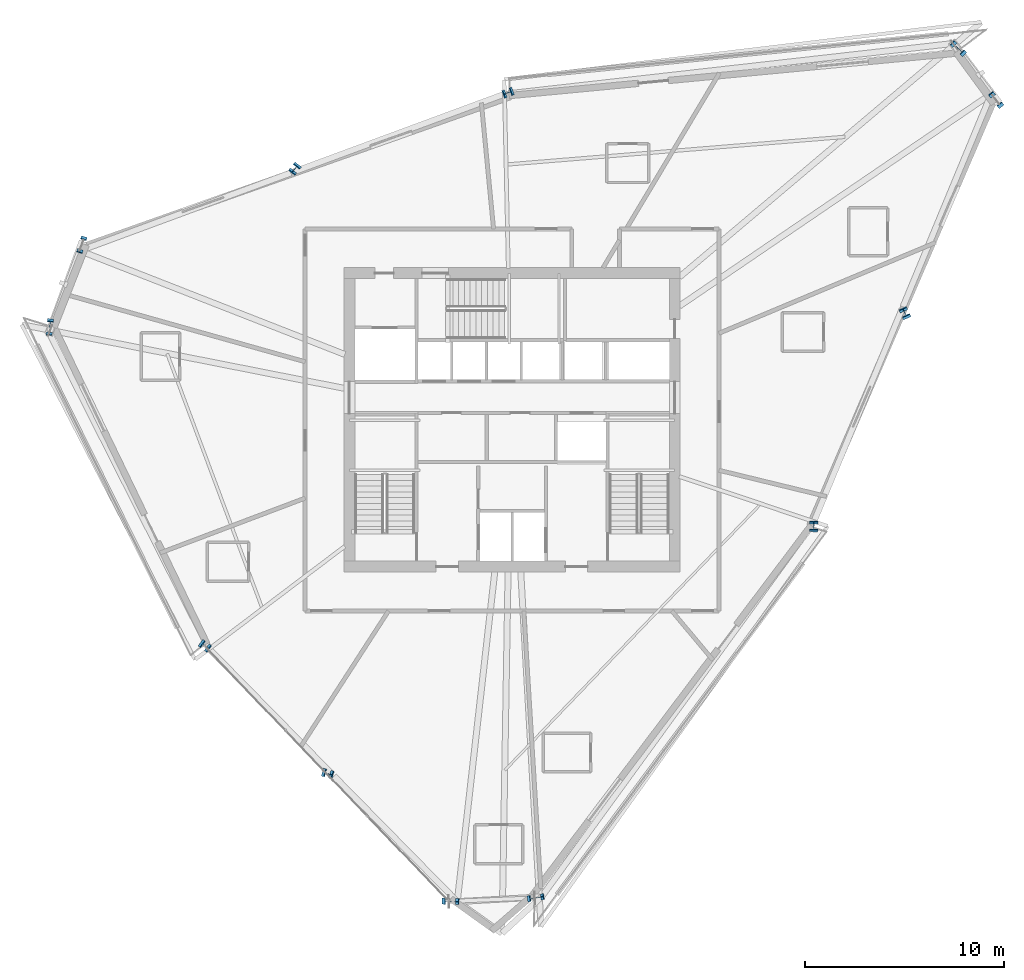
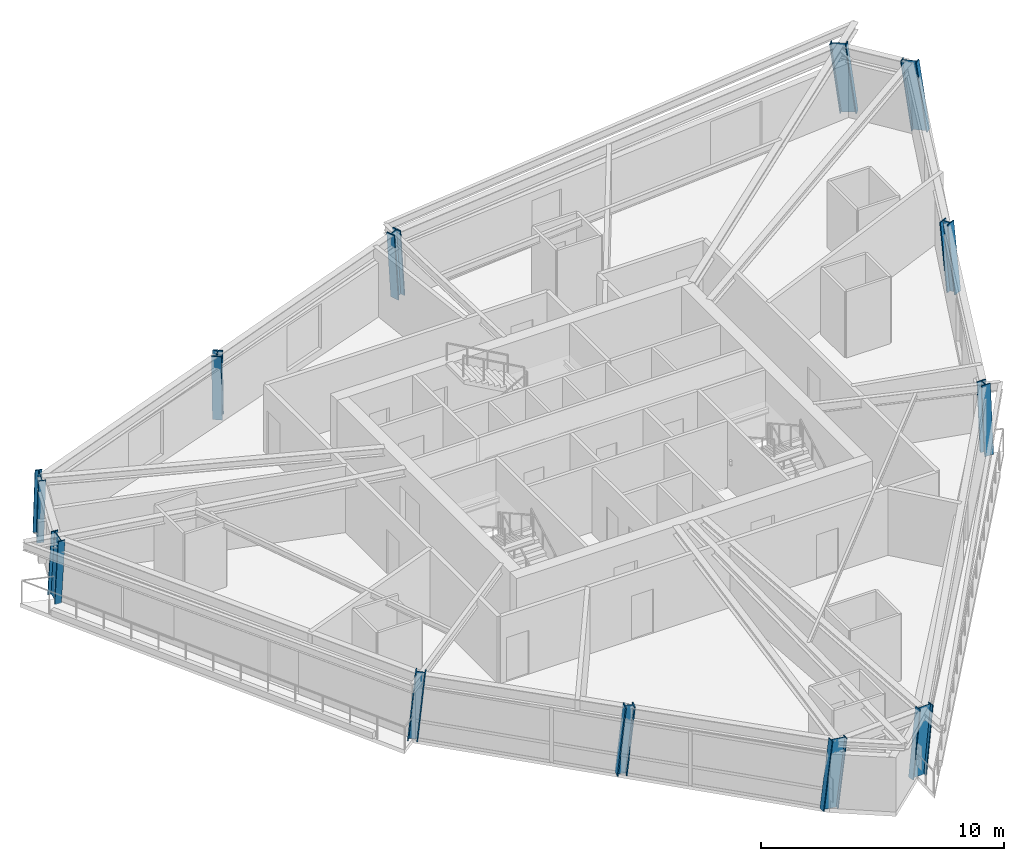
# One storey, part 1 of 14: 12 columns.
"""IFC4 building model written with IfcOpenShell, lengths in metres."""

from ifc_helpers import new_model, si_unit, direction, frame, origin, origin_2d, place, context, subcontext, project, spatial, i_section, extrude, source, transform, mapped, material, material_profile, profile_set, type_object, element, save


model = new_model("IFC4")

# Units and contexts
model_context = context("Model", 3, precision=1e-05, world=origin(), true_north=direction((0.0, 1.0)))
body_context = subcontext(model_context, "Body", "Model", "MODEL_VIEW")
ifc_project = project(units=[si_unit("LENGTHUNIT", "METRE"), si_unit("AREAUNIT", "SQUARE_METRE"), si_unit("VOLUMEUNIT", "CUBIC_METRE"), si_unit("PLANEANGLEUNIT", "RADIAN"), si_unit("MASSUNIT", "GRAM", prefix="KILO")], contexts=[model_context])

# Site, building, storey
site_placement = place(None, origin())
site = spatial("IfcSite", under=ifc_project, at=site_placement, CompositionType="ELEMENT")
building_placement = place(site_placement, origin())
building = spatial("IfcBuilding", under=site, at=building_placement, Name="Olszyna Solenne Hotel", CompositionType="ELEMENT")
storey_placement = place(building_placement, frame((0.0, 0.0, 182.10009765625)))
storey = spatial("IfcBuildingStorey", under=building, at=storey_placement, Name="L48", CompositionType="ELEMENT", Elevation=182.10009765625)

# Columns
ifc_material = material(Name="Steel S460M", Category="steel")
ifc_material_profile_1 = material_profile(ifc_material, i_section(OverallWidth=0.303955078125, OverallDepth=0.716064453125, WebThickness=0.02099609375, FlangeThickness=0.0400390625, at=origin_2d()), Name="HEM 700", Category="load-bearing")
ifc_profile_set_1 = profile_set([ifc_material_profile_1], Name="Steel S460M")
column_type_1 = type_object("IfcColumnType", Name="COL-K2", PredefinedType="COLUMN", material=ifc_profile_set_1)
shared_shape_1 = source(origin(), body_context, "Body", "SweptSolid", [
    extrude(i_section(OverallWidth=0.303955078125, OverallDepth=0.716064453125, WebThickness=0.02099609375, FlangeThickness=0.0400390625, at=origin_2d()), origin(), (0.0, 0.0, 1.0), 3.404052734375),
])
column_1_placement = place(storey_placement, frame((39.125, 2.577392578125, 0.0), z_axis=(0.104354873032, 0.01549185744, 0.994419460202), x_axis=(-0.146844314237, 0.989159616733, 0.0)))
element("IfcColumn", 1, at=column_1_placement, inside=storey, type_object=column_type_1, Name="Perimeter framed-tube column COL-K2 C-L48-10", PredefinedType="COLUMN", context=body_context, shape_type="MappedRepresentation", body=[
    mapped(shared_shape_1, transform((0.0, 0.0, 0.0), x_axis=(1.0, 0.0, 0.0), y_axis=(0.0, 1.0, 0.0), z_axis=(0.0, 0.0, 1.0), scale=1.0)),
])
ifc_material_profile_2 = material_profile(ifc_material, i_section(OverallWidth=0.412109375, OverallDepth=0.43505859375, WebThickness=0.031494140625, FlangeThickness=0.050048828125, at=origin_2d()), Name="HD 400x463", Category="load-bearing")
ifc_profile_set_2 = profile_set([ifc_material_profile_2], Name="Steel S460M")
column_type_2 = type_object("IfcColumnType", Name="COL-T3", PredefinedType="COLUMN", material=ifc_profile_set_2)
shared_shape_2 = source(origin(), body_context, "Body", "SweptSolid", [
    extrude(i_section(OverallWidth=0.412109375, OverallDepth=0.43505859375, WebThickness=0.031494140625, FlangeThickness=0.050048828125, at=origin_2d()), origin(), (0.0, 0.0, 1.0), 3.403564453125),
])
column_2_placement = place(storey_placement, frame((57.769287109375, 31.90478515625, 0.0), z_axis=(-0.043541791354, 0.094472058012, 0.994574855232), x_axis=(-0.908181269279, -0.418577092219, 0.0)))
element("IfcColumn", 2, at=column_2_placement, inside=storey, type_object=column_type_2, Name="Perimeter framed-tube column COL-T3 C-L48-12", PredefinedType="COLUMN", context=body_context, shape_type="MappedRepresentation", body=[
    mapped(shared_shape_2, transform((0.0, 0.0, 0.0), x_axis=(1.0, 0.0, 0.0), y_axis=(0.0, 1.0, 0.0), z_axis=(0.0, 0.0, 1.0), scale=1.0)),
])
shared_shape_3 = source(origin(), body_context, "Body", "SweptSolid", [
    extrude(i_section(OverallWidth=0.412109375, OverallDepth=0.43505859375, WebThickness=0.031494140625, FlangeThickness=0.050048828125, at=origin_2d()), origin(), (0.0, 0.0, 1.0), 3.40283203125),
])
column_3_placement = place(storey_placement, frame((28.678466796875, 8.841796875, 0.0), z_axis=(0.097721324464, -0.028986354687, 0.994791603295), x_axis=(0.284375913193, 0.958712855862, 0.0)))
element("IfcColumn", 3, at=column_3_placement, inside=storey, type_object=column_type_2, Name="Perimeter framed-tube column COL-T3 C-L48-08", PredefinedType="COLUMN", context=body_context, shape_type="MappedRepresentation", body=[
    mapped(shared_shape_3, transform((0.0, 0.0, 0.0), x_axis=(1.0, 0.0, 0.0), y_axis=(0.0, 1.0, 0.0), z_axis=(0.0, 0.0, 1.0), scale=1.0)),
])
shared_shape_4 = source(origin(), body_context, "Body", "SweptSolid", [
    extrude(i_section(OverallWidth=0.303955078125, OverallDepth=0.716064453125, WebThickness=0.02099609375, FlangeThickness=0.0400390625, at=origin_2d()), origin(), (0.0, 0.0, 1.0), 3.41845703125),
])
column_4_placement = place(storey_placement, frame((62.3798828125, 42.612548828125, 0.0), z_axis=(-0.08806071749, 0.108058285128, 0.990236697487), x_axis=(-0.775188521165, -0.631729971313, 0.0)))
element("IfcColumn", 4, at=column_4_placement, inside=storey, type_object=column_type_1, Name="Perimeter framed-tube column COL-K2 C-L48-01", PredefinedType="COLUMN", context=body_context, shape_type="MappedRepresentation", body=[
    mapped(shared_shape_4, transform((0.0, 0.0, 0.0), x_axis=(1.0, 0.0, 0.0), y_axis=(0.0, 1.0, 0.0), z_axis=(0.0, 0.0, 1.0), scale=1.0)),
])
shared_shape_5 = source(origin(), body_context, "Body", "SweptSolid", [
    extrude(i_section(OverallWidth=0.412109375, OverallDepth=0.43505859375, WebThickness=0.031494140625, FlangeThickness=0.050048828125, at=origin_2d()), origin(), (0.0, 0.0, 1.0), 3.395263671875),
])
column_5_placement = place(storey_placement, frame((37.841552734375, 43.0576171875, 0.0), z_axis=(-0.072913032199, -0.026677253398, 0.996981451125), x_axis=(0.343601453604, -0.93911556322, 0.0)))
element("IfcColumn", 5, at=column_5_placement, inside=storey, type_object=column_type_2, Name="Perimeter framed-tube column COL-T3 C-L48-03", PredefinedType="COLUMN", context=body_context, shape_type="MappedRepresentation", body=[
    mapped(shared_shape_5, transform((0.0, 0.0, 0.0), x_axis=(1.0, 0.0, 0.0), y_axis=(0.0, 1.0, 0.0), z_axis=(0.0, 0.0, 1.0), scale=1.0)),
])
shared_shape_6 = source(origin(), body_context, "Body", "SweptSolid", [
    extrude(i_section(OverallWidth=0.412109375, OverallDepth=0.43505859375, WebThickness=0.031494140625, FlangeThickness=0.050048828125, at=origin_2d()), origin(), (0.0, 0.0, 1.0), 3.397705078125),
])
column_6_placement = place(storey_placement, frame((27.12060546875, 39.264892578125, 0.0), z_axis=(-0.053244065156, -0.068046058978, 0.996260409423), x_axis=(0.787557645555, -0.616240987705, 0.0)))
element("IfcColumn", 6, at=column_6_placement, inside=storey, type_object=column_type_2, Name="Perimeter framed-tube column COL-T3 C-L48-04", PredefinedType="COLUMN", context=body_context, shape_type="MappedRepresentation", body=[
    mapped(shared_shape_6, transform((0.0, 0.0, 0.0), x_axis=(1.0, 0.0, 0.0), y_axis=(0.0, 1.0, 0.0), z_axis=(0.0, 0.0, 1.0), scale=1.0)),
])
shared_shape_7 = source(origin(), body_context, "Body", "SweptSolid", [
    extrude(i_section(OverallWidth=0.303955078125, OverallDepth=0.716064453125, WebThickness=0.02099609375, FlangeThickness=0.0400390625, at=origin_2d()), origin(), (0.0, 0.0, 1.0), 3.40283203125),
])
column_7_placement = place(storey_placement, frame((14.7744140625, 31.32470703125, 0.0), z_axis=(-0.008968101403, -0.102021121565, 0.994741807663), x_axis=(0.996158659499, -0.087566689478, 0.0)))
element("IfcColumn", 7, at=column_7_placement, inside=storey, type_object=column_type_1, Name="Perimeter framed-tube column COL-K2 C-L48-06", PredefinedType="COLUMN", context=body_context, shape_type="MappedRepresentation", body=[
    mapped(shared_shape_7, transform((0.0, 0.0, 0.0), x_axis=(1.0, 0.0, 0.0), y_axis=(0.0, 1.0, 0.0), z_axis=(0.0, 0.0, 1.0), scale=1.0)),
])
shared_shape_8 = source(origin(), body_context, "Body", "SweptSolid", [
    extrude(i_section(OverallWidth=0.303955078125, OverallDepth=0.716064453125, WebThickness=0.02099609375, FlangeThickness=0.0400390625, at=origin_2d()), origin(), (0.0, 0.0, 1.0), 3.40966796875),
])
column_8_placement = place(storey_placement, frame((34.83740234375, 2.4052734375, 0.0), z_axis=(0.120076161296, -0.003508486526, 0.992758483223), x_axis=(0.029206378494, 0.999573402735, 0.0)))
element("IfcColumn", 8, at=column_8_placement, inside=storey, type_object=column_type_1, Name="Perimeter framed-tube column COL-K2 C-L48-09", PredefinedType="COLUMN", context=body_context, shape_type="MappedRepresentation", body=[
    mapped(shared_shape_8, transform((0.0, 0.0, 0.0), x_axis=(1.0, 0.0, 0.0), y_axis=(0.0, 1.0, 0.0), z_axis=(0.0, 0.0, 1.0), scale=1.0)),
])
shared_shape_9 = source(origin(), body_context, "Body", "SweptSolid", [
    extrude(i_section(OverallWidth=0.303955078125, OverallDepth=0.716064453125, WebThickness=0.02099609375, FlangeThickness=0.0400390625, at=origin_2d()), origin(), (0.0, 0.0, 1.0), 3.413818359375),
])
column_9_placement = place(storey_placement, frame((60.483642578125, 45.2080078125, 0.0), z_axis=(-0.093253223651, 0.090392695318, 0.99153063337), x_axis=(-0.696008228581, -0.718033805435, 0.0)))
element("IfcColumn", 9, at=column_9_placement, inside=storey, type_object=column_type_1, Name="Perimeter framed-tube column COL-K2 C-L48-02", PredefinedType="COLUMN", context=body_context, shape_type="MappedRepresentation", body=[
    mapped(shared_shape_9, transform((0.0, 0.0, 0.0), x_axis=(1.0, 0.0, 0.0), y_axis=(0.0, 1.0, 0.0), z_axis=(0.0, 0.0, 1.0), scale=1.0)),
])
shared_shape_10 = source(origin(), body_context, "Body", "SweptSolid", [
    extrude(i_section(OverallWidth=0.303955078125, OverallDepth=0.716064453125, WebThickness=0.02099609375, FlangeThickness=0.0400390625, at=origin_2d()), origin(), (0.0, 0.0, 1.0), 3.4072265625),
])
column_10_placement = place(storey_placement, frame((16.3994140625, 35.47216796875, 0.0), z_axis=(-0.033533637022, -0.109055973393, 0.993469823324), x_axis=(0.955833306918, -0.293909321707, 0.0)))
element("IfcColumn", 10, at=column_10_placement, inside=storey, type_object=column_type_1, Name="Perimeter framed-tube column COL-K2 C-L48-05", PredefinedType="COLUMN", context=body_context, shape_type="MappedRepresentation", body=[
    mapped(shared_shape_10, transform((0.0, 0.0, 0.0), x_axis=(1.0, 0.0, 0.0), y_axis=(0.0, 1.0, 0.0), z_axis=(0.0, 0.0, 1.0), scale=1.0)),
])
shared_shape_11 = source(origin(), body_context, "Body", "SweptSolid", [
    extrude(i_section(OverallWidth=0.412109375, OverallDepth=0.43505859375, WebThickness=0.031494140625, FlangeThickness=0.050048828125, at=origin_2d()), origin(), (0.0, 0.0, 1.0), 3.399658203125),
])
column_11_placement = place(storey_placement, frame((22.519287109375, 15.278564453125, 0.0), z_axis=(0.07518697246, -0.054648792781, 0.995670843512), x_axis=(0.587941984646, 0.808903098455, 0.0)))
element("IfcColumn", 11, at=column_11_placement, inside=storey, type_object=column_type_2, Name="Perimeter framed-tube column COL-T3 C-L48-07", PredefinedType="COLUMN", context=body_context, shape_type="MappedRepresentation", body=[
    mapped(shared_shape_11, transform((0.0, 0.0, 0.0), x_axis=(1.0, 0.0, 0.0), y_axis=(0.0, 1.0, 0.0), z_axis=(0.0, 0.0, 1.0), scale=1.0)),
])
shared_shape_12 = source(origin(), body_context, "Body", "SweptSolid", [
    extrude(i_section(OverallWidth=0.412109375, OverallDepth=0.43505859375, WebThickness=0.031494140625, FlangeThickness=0.050048828125, at=origin_2d()), origin(), (0.0, 0.0, 1.0), 3.39599609375),
])
column_12_placement = place(storey_placement, frame((53.158935546875, 21.197265625, 0.0), z_axis=(0.00136590655, 0.080516596624, 0.996752332311), x_axis=(-0.999856137556, 0.016961845191, 0.0)))
element("IfcColumn", 12, at=column_12_placement, inside=storey, type_object=column_type_2, Name="Perimeter framed-tube column COL-T3 C-L48-11", PredefinedType="COLUMN", context=body_context, shape_type="MappedRepresentation", body=[
    mapped(shared_shape_12, transform((0.0, 0.0, 0.0), x_axis=(1.0, 0.0, 0.0), y_axis=(0.0, 1.0, 0.0), z_axis=(0.0, 0.0, 1.0), scale=1.0)),
])

save(model, "model.ifc")
